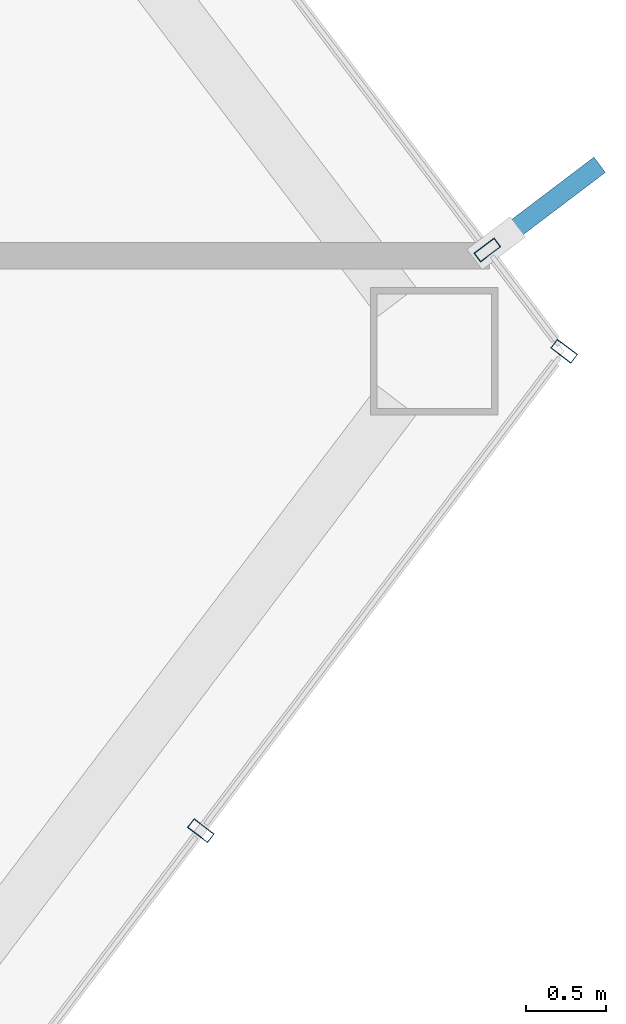
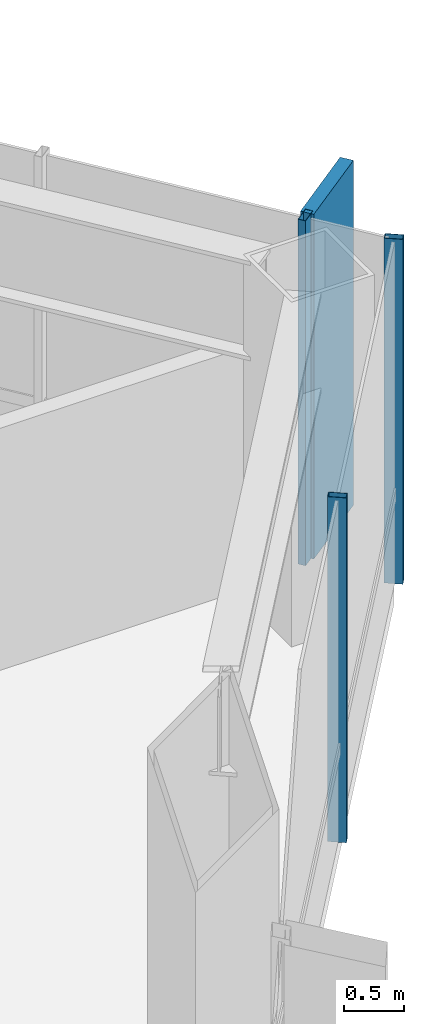
# One storey, part 21 of 29: 4 members, 2 elements without a shape of their own.
"""IFC4 building model written with IfcOpenShell, lengths in metres."""

from ifc_helpers import new_model, si_unit, direction, frame, origin, origin_2d, place, context, subcontext, project, spatial, rectangle, hollow_rectangle, extrude, material, layer, layer_set, material_profile, profile_set, type_object, element, aggregate, save


model = new_model("IFC4")

# Units and contexts
model_context = context("Model", 3, precision=1e-05, world=origin(), true_north=direction((0.0, 1.0)))
body_context = subcontext(model_context, "Body", "Model", "MODEL_VIEW")
ifc_project = project(units=[si_unit("LENGTHUNIT", "METRE"), si_unit("AREAUNIT", "SQUARE_METRE"), si_unit("VOLUMEUNIT", "CUBIC_METRE"), si_unit("PLANEANGLEUNIT", "RADIAN"), si_unit("MASSUNIT", "GRAM", prefix="KILO")], contexts=[model_context])

# Site, building, storey
site_placement = place(None, origin())
site = spatial("IfcSite", under=ifc_project, at=site_placement, CompositionType="ELEMENT")
building_placement = place(site_placement, origin())
building = spatial("IfcBuilding", under=site, at=building_placement, Name="Zarrinselat Tower", CompositionType="ELEMENT")
storey_placement = place(building_placement, frame((0.0, 0.0, 134.639892578125)))
storey = spatial("IfcBuildingStorey", under=building, at=storey_placement, Name="L32", CompositionType="ELEMENT", Elevation=134.639892578125)

# Curtain wall, members
ifc_material_1 = material(Name="Extruded Aluminium Alloy EN AW-6063 T6", Category="aluminium")
ifc_layer = layer(ifc_material_1, 0.175048828125)
ifc_layer_set = layer_set([ifc_layer], Name="Extruded Aluminium Alloy EN AW-6063 T6")
curtain_wall_type = type_object("IfcCurtainWallType", Name="CWS-HTL", PredefinedType="NOTDEFINED", material=ifc_layer_set)
curtain_wall_1_placement = place(storey_placement, origin())
curtain_wall_1 = element("IfcCurtainWall", 1, at=curtain_wall_1_placement, inside=storey, type_object=curtain_wall_type, Name="L32 Unitised Curtain Wall CW-L32-E05", PredefinedType="NOTDEFINED")
ifc_material_2 = material(Name="Extruded Aluminium Alloy EN AW-6063 T6", Category="aluminium")
ifc_material_profile_1 = material_profile(ifc_material_2, hollow_rectangle(XDim=0.070068359375, YDim=0.159912109375, WallThickness=0.00390625, at=origin_2d()), Name="RHS 160x70x4")
ifc_profile_set_1 = profile_set([ifc_material_profile_1], Name="Extruded Aluminium Alloy EN AW-6063 T6")
member_type_1 = type_object("IfcMemberType", Name="MEM-CW-MUL2", PredefinedType="MULLION", material=ifc_profile_set_1)
member_1_placement = place(storey_placement, frame((60.581298828125, 36.009521484375, 0.0), z_axis=(0.0, 0.0, 1.0), x_axis=(0.603855794642, 0.797093582509, 0.0)))
member_1 = element("IfcMember", 2, at=member_1_placement, type_object=member_type_1, Name="CW-L32-E05 Mullion 8", PredefinedType="MULLION", context=body_context, shape_type="SweptSolid", body=[
    extrude(hollow_rectangle(XDim=0.070068359375, YDim=0.159912109375, WallThickness=0.00390625, at=origin_2d()), origin(), (0.0, 0.0, 1.0), 3.5),
])
member_2_placement = place(storey_placement, frame((62.8623046875, 39.02001953125, 0.0), z_axis=(0.0, 0.0, 1.0), x_axis=(0.603855794642, 0.797093582509, 0.0)))
member_2 = element("IfcMember", 3, at=member_2_placement, type_object=member_type_1, Name="CW-L32-E05 Mullion 9", PredefinedType="MULLION", context=body_context, shape_type="SweptSolid", body=[
    extrude(hollow_rectangle(XDim=0.070068359375, YDim=0.159912109375, WallThickness=0.00390625, at=origin_2d()), origin(), (0.0, 0.0, 1.0), 3.5),
])
aggregate(curtain_wall_1, [member_1, member_2])

curtain_wall_2_placement = place(storey_placement, origin())
curtain_wall_2 = element("IfcCurtainWall", 4, at=curtain_wall_2_placement, inside=storey, type_object=curtain_wall_type, Name="L32 Unitised Curtain Wall CW-L32-E06", PredefinedType="NOTDEFINED")
member_3_placement = place(storey_placement, frame((62.38037109375, 39.65625, 0.0), z_axis=(0.0, 0.0, 1.0), x_axis=(-0.60385935447, 0.79709088567, 0.0)))
member_3 = element("IfcMember", 5, at=member_3_placement, type_object=member_type_1, Name="CW-L32-E06 Mullion 1", PredefinedType="MULLION", context=body_context, shape_type="SweptSolid", body=[
    extrude(hollow_rectangle(XDim=0.070068359375, YDim=0.159912109375, WallThickness=0.00390625, at=origin_2d()), origin(), (0.0, 0.0, 1.0), 3.5),
])
ifc_material_3 = material(Name="Honed Cream Travertine Stone", Category="masonry")
ifc_material_profile_2 = material_profile(ifc_material_3, rectangle(XDim=0.1201171875, YDim=0.85009765625, at=origin_2d()), Name="FIN 850x120")
ifc_profile_set_2 = profile_set([ifc_material_profile_2], Name="Honed Cream Travertine Stone")
member_type_2 = type_object("IfcMemberType", Name="MEM-STONE-FIN", PredefinedType="USERDEFINED", material=ifc_profile_set_2)
member_4_placement = place(storey_placement, frame((62.7470703125, 39.93408203125, 0.0), z_axis=(0.0, 0.0, 1.0), x_axis=(0.60385935447, -0.79709088567, 0.0)))
member_4 = element("IfcMember", 6, at=member_4_placement, type_object=member_type_2, Name="L32 Stone Shading Fin CW-L32-E06-01", ObjectType="FIN", PredefinedType="USERDEFINED", context=body_context, shape_type="SweptSolid", body=[
    extrude(rectangle(XDim=0.1201171875, YDim=0.85009765625, at=origin_2d()), origin(), (0.0, 0.0, 1.0), 3.5),
])
aggregate(curtain_wall_2, [member_3, member_4])

save(model, "model.ifc")
